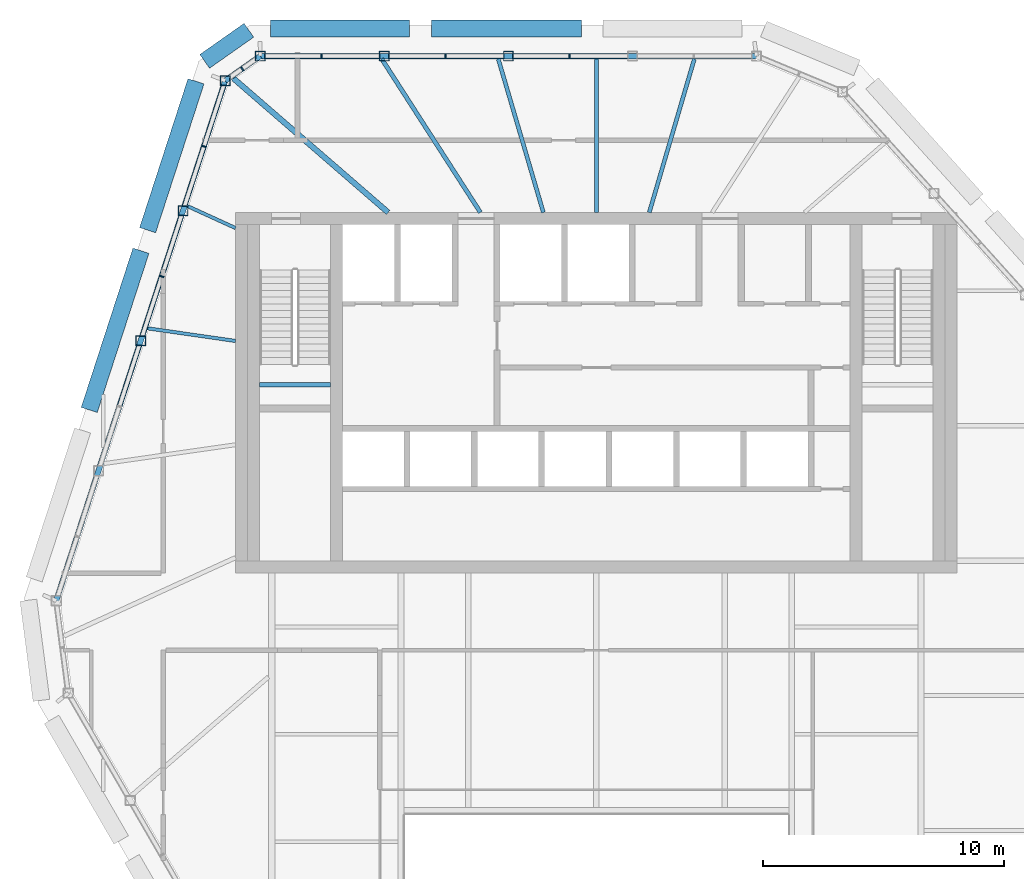
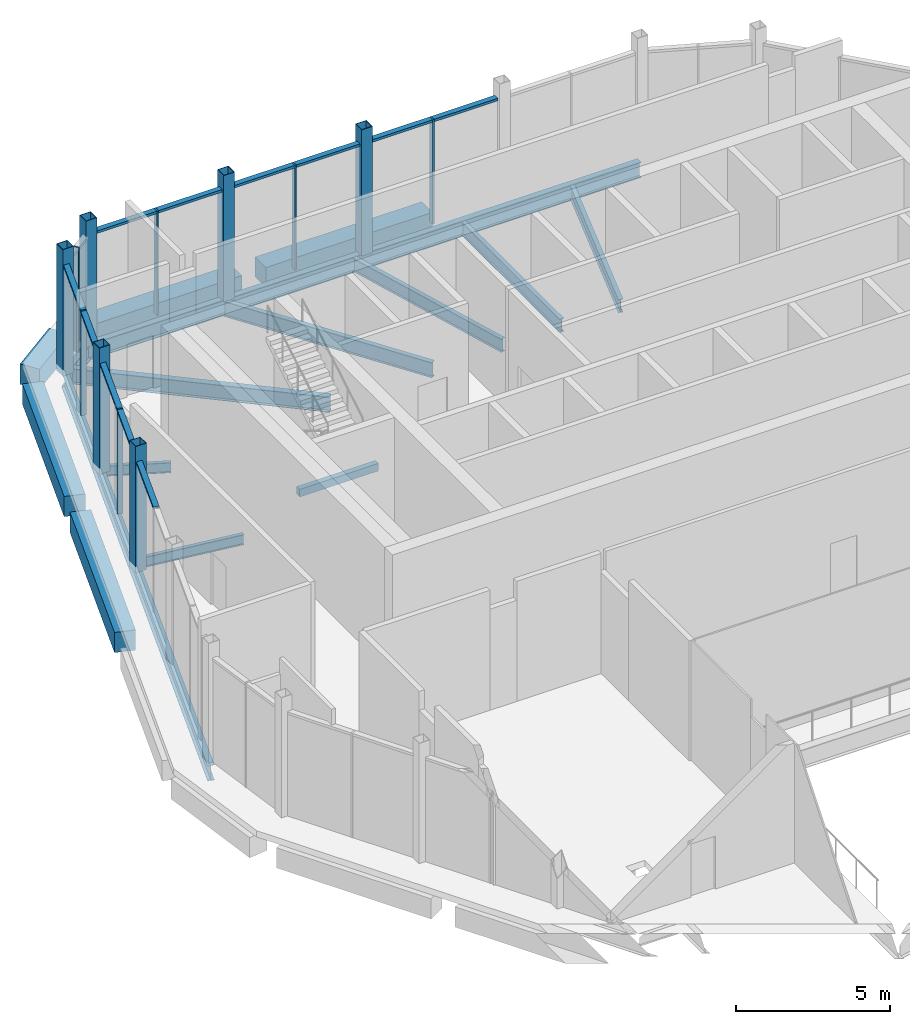
# One storey, part 5 of 12: 23 members, 16 beams, 3 elements without a shape of their own.
"""IFC4 building model written with IfcOpenShell, lengths in metres."""

from ifc_helpers import new_model, si_unit, direction, frame, origin, origin_2d, place, context, subcontext, project, spatial, rectangle, hollow_rectangle, i_section, extrude, material, layer, layer_set, material_profile, profile_set, type_object, element, aggregate, save


model = new_model("IFC4")

# Units and contexts
model_context = context("Model", 3, precision=1e-05, world=origin(), true_north=direction((0.0, 1.0)))
body_context = subcontext(model_context, "Body", "Model", "MODEL_VIEW")
ifc_project = project(units=[si_unit("LENGTHUNIT", "METRE"), si_unit("AREAUNIT", "SQUARE_METRE"), si_unit("VOLUMEUNIT", "CUBIC_METRE"), si_unit("PLANEANGLEUNIT", "RADIAN"), si_unit("MASSUNIT", "GRAM", prefix="KILO")], contexts=[model_context])

# Site, building, storey
site_placement = place(None, origin())
site = spatial("IfcSite", under=ifc_project, at=site_placement, CompositionType="ELEMENT")
building_placement = place(site_placement, origin())
building = spatial("IfcBuilding", under=site, at=building_placement, Name="Isthmus Gate Tower", CompositionType="ELEMENT")
storey_placement = place(building_placement, frame((0.0, 0.0, 301.10009765625)))
storey = spatial("IfcBuildingStorey", under=building, at=storey_placement, Name="C1", CompositionType="ELEMENT", Elevation=301.10009765625)

# Members
ifc_material_1 = material(Name="Structural steel ASTM A500 Gr C", Category="steel")
ifc_material_profile_1 = material_profile(ifc_material_1, hollow_rectangle(XDim=0.406494140625, YDim=0.406494140625, WallThickness=0.017578125, at=origin_2d()), Name="HSS16X16X3/4")
ifc_profile_set_1 = profile_set([ifc_material_profile_1], Name="Structural steel ASTM A500 Gr C")
member_type_1 = type_object("IfcMemberType", Name="CROWN POST HSS16X16X3/4", PredefinedType="POST", material=ifc_profile_set_1)
for number, where, z_axis, x_axis, name in (
    (1, (-3.65478515625, 21.5, -0.25), (0.0, 0.0, 1.0), (1.0, 0.0, 0.0), "str-crownpost-C1-03"),
    (2, (-8.81201171875, 21.5, -0.25), (0.0, 0.0, 1.0), (1.0, 0.0, 0.0), "str-crownpost-C1-04"),
    (3, (-13.96923828125, 21.5, -0.25), (0.0, 0.0, 1.0), (1.0, 0.0, 0.0), "str-crownpost-C1-05"),
    (4, (-15.425048828125, 20.475830078125, -0.25), (0.0, 0.0, 1.0), (1.0, 0.0, 0.0), "str-crownpost-C1-06"),
    (5, (-17.18115234375, 15.071044921875, -0.25), (0.0, 0.0, 1.0), (1.0, 0.0, 0.0), "str-crownpost-C1-07"),
    (6, (-18.937255859375, 9.666015625, -0.25), (0.0, 0.0, 1.0), (1.0, 0.0, 0.0), "str-crownpost-C1-08"),
):
    element("IfcMember", number, at=place(storey_placement, frame(where, z_axis=z_axis, x_axis=x_axis)), inside=storey, type_object=member_type_1, Name=name, PredefinedType="POST", context=body_context, shape_type="SweptSolid", body=[
        extrude(hollow_rectangle(XDim=0.406494140625, YDim=0.406494140625, WallThickness=0.017578125, at=origin_2d()), origin(), (0.0, 0.0, 1.0), 5.0),
    ])

# Beams
ifc_material_2 = material(Name="Structural steel ASTM A992 Gr 50", Category="steel")
ifc_material_profile_2 = material_profile(ifc_material_2, i_section(OverallWidth=0.231689453125, OverallDepth=0.615966796875, WebThickness=0.0126953125, FlangeThickness=0.022216796875, at=origin_2d()), Name="W24X94")
ifc_profile_set_2 = profile_set([ifc_material_profile_2], Name="Structural steel ASTM A992 Gr 50")
beam_type_1 = type_object("IfcBeamType", Name="CROWN RING BEAM W24X94", PredefinedType="BEAM", material=ifc_profile_set_2)
beam_1_placement = place(storey_placement, frame((6.659912109375, 21.5, -0.55810546875), z_axis=(-1.0, 0.0, 0.0), x_axis=(0.0, -1.0, 0.0)))
element("IfcBeam", 7, at=beam_1_placement, inside=storey, type_object=beam_type_1, Name="str-crownring-C1-00", PredefinedType="BEAM", context=body_context, shape_type="SweptSolid", body=[
    extrude(i_section(OverallWidth=0.231689453125, OverallDepth=0.615966796875, WebThickness=0.0126953125, FlangeThickness=0.022216796875, at=origin_2d()), origin(), (0.0, 0.0, 1.0), 20.629150390625),
])
beam_2_placement = place(storey_placement, frame((-13.96923828125, 21.5, -0.55810546875), z_axis=(-0.817882919468, -0.575384680055, 0.0), x_axis=(0.575384680055, -0.817882919468, 0.0)))
element("IfcBeam", 8, at=beam_2_placement, inside=storey, type_object=beam_type_1, Name="str-crownring-C1-01", PredefinedType="BEAM", context=body_context, shape_type="SweptSolid", body=[
    extrude(i_section(OverallWidth=0.231689453125, OverallDepth=0.615966796875, WebThickness=0.0126953125, FlangeThickness=0.022216796875, at=origin_2d()), origin(), (0.0, 0.0, 1.0), 1.780029296875),
])
beam_3_placement = place(storey_placement, frame((-15.425048828125, 20.475830078125, -0.55810546875), z_axis=(-0.309011031074, -0.951058453868, 0.0), x_axis=(0.951058453868, -0.309011031074, 0.0)))
element("IfcBeam", 9, at=beam_3_placement, inside=storey, type_object=beam_type_1, Name="str-crownring-C1-02", PredefinedType="BEAM", context=body_context, shape_type="SweptSolid", body=[
    extrude(i_section(OverallWidth=0.231689453125, OverallDepth=0.615966796875, WebThickness=0.0126953125, FlangeThickness=0.022216796875, at=origin_2d()), origin(), (0.0, 0.0, 1.0), 22.73193359375),
])

# Curtain wall, members
ifc_material_3 = material(Name="Aluminium, pale champagne anodised", Category="aluminium")
ifc_layer = layer(ifc_material_3, 0.199951171875)
ifc_layer_set = layer_set([ifc_layer], Name="CW-2 LOUVRE CURTAIN WALL 200 DEEP")
curtain_wall_type = type_object("IfcCurtainWallType", Name="CW-2 LOUVRE CURTAIN WALL 200 DEEP", PredefinedType="NOTDEFINED", material=ifc_layer_set)
curtain_wall_1_placement = place(storey_placement, origin())
curtain_wall_1 = element("IfcCurtainWall", 10, at=curtain_wall_1_placement, inside=storey, type_object=curtain_wall_type, Name="CW-2 E00 C1", PredefinedType="NOTDEFINED")
ifc_material_4 = material(Name="Aluminium, pale champagne anodised", Category="aluminium")
ifc_material_profile_3 = material_profile(ifc_material_4, rectangle(XDim=0.06005859375, YDim=0.199951171875, at=origin_2d()), Name="60x200")
ifc_profile_set_3 = profile_set([ifc_material_profile_3], Name="Aluminium, pale champagne anodised")
member_type_2 = type_object("IfcMemberType", Name="CW-2 MULLION 60 X 200", PredefinedType="MULLION", material=ifc_profile_set_3)
member_1_placement = place(storey_placement, frame((-1.10595703125, 21.5, 0.0), z_axis=(0.0, 0.0, 1.0), x_axis=(-1.0, 0.0, 0.0)))
member_1 = element("IfcMember", 11, at=member_1_placement, type_object=member_type_2, Name="CW-2 mullion", PredefinedType="MULLION", context=body_context, shape_type="SweptSolid", body=[
    extrude(rectangle(XDim=0.06005859375, YDim=0.199951171875, at=origin_2d()), origin(), (0.0, 0.0, 1.0), 4.134033203125),
])
member_2_placement = place(storey_placement, frame((-6.263427734375, 21.5, 0.0), z_axis=(0.0, 0.0, 1.0), x_axis=(-1.0, 0.0, 0.0)))
member_2 = element("IfcMember", 12, at=member_2_placement, type_object=member_type_2, Name="CW-2 mullion", PredefinedType="MULLION", context=body_context, shape_type="SweptSolid", body=[
    extrude(rectangle(XDim=0.06005859375, YDim=0.199951171875, at=origin_2d()), origin(), (0.0, 0.0, 1.0), 4.134033203125),
])
member_3_placement = place(storey_placement, frame((-11.420654296875, 21.5, 0.0), z_axis=(0.0, 0.0, 1.0), x_axis=(-1.0, 0.0, 0.0)))
member_3 = element("IfcMember", 13, at=member_3_placement, type_object=member_type_2, Name="CW-2 mullion", PredefinedType="MULLION", context=body_context, shape_type="SweptSolid", body=[
    extrude(rectangle(XDim=0.06005859375, YDim=0.199951171875, at=origin_2d()), origin(), (0.0, 0.0, 1.0), 4.134033203125),
])

# Curtain wall, member
curtain_wall_2_placement = place(storey_placement, origin())
curtain_wall_2 = element("IfcCurtainWall", 14, at=curtain_wall_2_placement, inside=storey, type_object=curtain_wall_type, Name="CW-2 E01 C1", PredefinedType="NOTDEFINED")
member_4_placement = place(storey_placement, frame((-14.7216796875, 20.970703125, 0.0), z_axis=(0.0, 0.0, 1.0), x_axis=(-0.81785959165, -0.57541783805, 0.0)))
member_4 = element("IfcMember", 15, at=member_4_placement, type_object=member_type_2, Name="CW-2 mullion", PredefinedType="MULLION", context=body_context, shape_type="SweptSolid", body=[
    extrude(rectangle(XDim=0.06005859375, YDim=0.199951171875, at=origin_2d()), origin(), (0.0, 0.0, 1.0), 4.134033203125),
])
aggregate(curtain_wall_2, [member_4])

# Curtain wall, members
curtain_wall_3_placement = place(storey_placement, origin())
curtain_wall_3 = element("IfcCurtainWall", 16, at=curtain_wall_3_placement, inside=storey, type_object=curtain_wall_type, Name="CW-2 E02 C1", PredefinedType="NOTDEFINED")
member_5_placement = place(storey_placement, frame((-16.312255859375, 17.744873046875, 0.0), z_axis=(0.0, 0.0, 1.0), x_axis=(-0.309016994375, -0.951056516295, 0.0)))
member_5 = element("IfcMember", 17, at=member_5_placement, type_object=member_type_2, Name="CW-2 mullion", PredefinedType="MULLION", context=body_context, shape_type="SweptSolid", body=[
    extrude(rectangle(XDim=0.06005859375, YDim=0.199951171875, at=origin_2d()), origin(), (0.0, 0.0, 1.0), 4.134033203125),
])
member_6_placement = place(storey_placement, frame((-18.068359375, 12.340087890625, 0.0), z_axis=(0.0, 0.0, 1.0), x_axis=(-0.309016994375, -0.951056516295, 0.0)))
member_6 = element("IfcMember", 18, at=member_6_placement, type_object=member_type_2, Name="CW-2 mullion", PredefinedType="MULLION", context=body_context, shape_type="SweptSolid", body=[
    extrude(rectangle(XDim=0.06005859375, YDim=0.199951171875, at=origin_2d()), origin(), (0.0, 0.0, 1.0), 4.134033203125),
])

# Member
ifc_material_5 = material(Name="Aluminium, pale champagne anodised", Category="aluminium")
ifc_material_profile_4 = material_profile(ifc_material_5, rectangle(XDim=0.199951171875, YDim=0.10009765625, at=origin_2d()), Name="200x100")
ifc_profile_set_4 = profile_set([ifc_material_profile_4], Name="Aluminium, pale champagne anodised")
member_type_3 = type_object("IfcMemberType", Name="CW-2 TRANSOM 200 X 100", PredefinedType="USERDEFINED", material=ifc_profile_set_4)
member_7_placement = place(storey_placement, frame((1.299560546875, 21.5, 4.083984375), z_axis=(-1.0, 0.0, 0.0), x_axis=(0.0, -1.0, 0.0)))
member_7 = element("IfcMember", 19, at=member_7_placement, type_object=member_type_3, Name="CW-2 transom", ObjectType="TRANSOM", PredefinedType="USERDEFINED", context=body_context, shape_type="SweptSolid", body=[
    extrude(rectangle(XDim=0.199951171875, YDim=0.10009765625, at=origin_2d()), origin(), (0.0, 0.0, 1.0), 2.37548828125),
])

member_8_placement = place(storey_placement, frame((-1.135986328125, 21.5, 4.083984375), z_axis=(-1.0, 0.0, 0.0), x_axis=(0.0, -1.0, 0.0)))
member_8 = element("IfcMember", 20, at=member_8_placement, type_object=member_type_3, Name="CW-2 transom", ObjectType="TRANSOM", PredefinedType="USERDEFINED", context=body_context, shape_type="SweptSolid", body=[
    extrude(rectangle(XDim=0.199951171875, YDim=0.10009765625, at=origin_2d()), origin(), (0.0, 0.0, 1.0), 2.3154296875),
])

member_9_placement = place(storey_placement, frame((-3.85791015625, 21.5, 4.083984375), z_axis=(-1.0, 0.0, 0.0), x_axis=(0.0, -1.0, 0.0)))
member_9 = element("IfcMember", 21, at=member_9_placement, type_object=member_type_3, Name="CW-2 transom", ObjectType="TRANSOM", PredefinedType="USERDEFINED", context=body_context, shape_type="SweptSolid", body=[
    extrude(rectangle(XDim=0.199951171875, YDim=0.10009765625, at=origin_2d()), origin(), (0.0, 0.0, 1.0), 2.37548828125),
])

member_10_placement = place(storey_placement, frame((-6.293212890625, 21.5, 4.083984375), z_axis=(-1.0, 0.0, 0.0), x_axis=(0.0, -1.0, 0.0)))
member_10 = element("IfcMember", 22, at=member_10_placement, type_object=member_type_3, Name="CW-2 transom", ObjectType="TRANSOM", PredefinedType="USERDEFINED", context=body_context, shape_type="SweptSolid", body=[
    extrude(rectangle(XDim=0.199951171875, YDim=0.10009765625, at=origin_2d()), origin(), (0.0, 0.0, 1.0), 2.315673828125),
])

member_11_placement = place(storey_placement, frame((-9.01513671875, 21.5, 4.083984375), z_axis=(-1.0, 0.0, 0.0), x_axis=(0.0, -1.0, 0.0)))
member_11 = element("IfcMember", 23, at=member_11_placement, type_object=member_type_3, Name="CW-2 transom", ObjectType="TRANSOM", PredefinedType="USERDEFINED", context=body_context, shape_type="SweptSolid", body=[
    extrude(rectangle(XDim=0.199951171875, YDim=0.10009765625, at=origin_2d()), origin(), (0.0, 0.0, 1.0), 2.37548828125),
])

member_12_placement = place(storey_placement, frame((-11.45068359375, 21.5, 4.083984375), z_axis=(-1.0, 0.0, 0.0), x_axis=(0.0, -1.0, 0.0)))
member_12 = element("IfcMember", 24, at=member_12_placement, type_object=member_type_3, Name="CW-2 transom", ObjectType="TRANSOM", PredefinedType="USERDEFINED", context=body_context, shape_type="SweptSolid", body=[
    extrude(rectangle(XDim=0.199951171875, YDim=0.10009765625, at=origin_2d()), origin(), (0.0, 0.0, 1.0), 2.3154296875),
])

aggregate(curtain_wall_1, [member_7, member_1, member_8, member_9, member_2, member_10, member_11, member_3, member_12])

member_13_placement = place(storey_placement, frame((-15.48779296875, 20.28271484375, 4.083984375), z_axis=(-0.308973082722, -0.951070782935, 0.0), x_axis=(0.951070782935, -0.308973082722, 0.0)))
member_13 = element("IfcMember", 25, at=member_13_placement, type_object=member_type_3, Name="CW-2 transom", ObjectType="TRANSOM", PredefinedType="USERDEFINED", context=body_context, shape_type="SweptSolid", body=[
    extrude(rectangle(XDim=0.199951171875, YDim=0.10009765625, at=origin_2d()), origin(), (0.0, 0.0, 1.0), 2.638427734375),
])

member_14_placement = place(storey_placement, frame((-16.321533203125, 17.71630859375, 4.083984375), z_axis=(-0.309060379712, -0.951042418451, 0.0), x_axis=(0.951042418451, -0.309060379712, 0.0)))
member_14 = element("IfcMember", 26, at=member_14_placement, type_object=member_type_3, Name="CW-2 transom", ObjectType="TRANSOM", PredefinedType="USERDEFINED", context=body_context, shape_type="SweptSolid", body=[
    extrude(rectangle(XDim=0.199951171875, YDim=0.10009765625, at=origin_2d()), origin(), (0.0, 0.0, 1.0), 2.578369140625),
])

member_15_placement = place(storey_placement, frame((-17.243896484375, 14.877685546875, 4.083984375), z_axis=(-0.309000276774, -0.951061948011, 0.0), x_axis=(0.951061948011, -0.309000276774, 0.0)))
member_15 = element("IfcMember", 27, at=member_15_placement, type_object=member_type_3, Name="CW-2 transom", ObjectType="TRANSOM", PredefinedType="USERDEFINED", context=body_context, shape_type="SweptSolid", body=[
    extrude(rectangle(XDim=0.199951171875, YDim=0.10009765625, at=origin_2d()), origin(), (0.0, 0.0, 1.0), 2.63818359375),
])

member_16_placement = place(storey_placement, frame((-18.07763671875, 12.3115234375, 4.083984375), z_axis=(-0.309060379712, -0.951042418451, 0.0), x_axis=(0.951042418451, -0.309060379712, 0.0)))
member_16 = element("IfcMember", 28, at=member_16_placement, type_object=member_type_3, Name="CW-2 transom", ObjectType="TRANSOM", PredefinedType="USERDEFINED", context=body_context, shape_type="SweptSolid", body=[
    extrude(rectangle(XDim=0.199951171875, YDim=0.10009765625, at=origin_2d()), origin(), (0.0, 0.0, 1.0), 2.578369140625),
])

member_17_placement = place(storey_placement, frame((-19.0, 9.472900390625, 4.083984375), z_axis=(-0.30905677999, -0.951043588245, 0.0), x_axis=(0.951043588245, -0.30905677999, 0.0)))
member_17 = element("IfcMember", 29, at=member_17_placement, type_object=member_type_3, Name="CW-2 transom", ObjectType="TRANSOM", PredefinedType="USERDEFINED", context=body_context, shape_type="SweptSolid", body=[
    extrude(rectangle(XDim=0.199951171875, YDim=0.10009765625, at=origin_2d()), origin(), (0.0, 0.0, 1.0), 2.638427734375),
])

aggregate(curtain_wall_3, [member_13, member_5, member_14, member_15, member_6, member_16, member_17])

# Beams
ifc_material_6 = material(Name="Concrete f'c 50 MPa", Category="concrete")
ifc_material_profile_5 = material_profile(ifc_material_6, rectangle(XDim=0.699951171875, YDim=0.800048828125, at=origin_2d()), Name="RC 700X800")
ifc_profile_set_5 = profile_set([ifc_material_profile_5], Name="Concrete f'c 50 MPa")
beam_type_2 = type_object("IfcBeamType", Name="RC ROOF RING BEAM 700 X 800", PredefinedType="BEAM", material=ifc_profile_set_5)
beam_4_placement = place(storey_placement, frame((-21.080810546875, 6.790283203125, -0.650146484375), z_axis=(0.309006716915, 0.951059855583, 0.0), x_axis=(-0.951059855583, 0.309006716915, 0.0)))
element("IfcBeam", 30, at=beam_4_placement, inside=storey, type_object=beam_type_2, Name="str-roofring-C1-18", PredefinedType="BEAM", context=body_context, shape_type="SweptSolid", body=[
    extrude(rectangle(XDim=0.699951171875, YDim=0.800048828125, at=origin_2d()), origin(), (0.0, 0.0, 1.0), 6.956787109375),
])
beam_5_placement = place(storey_placement, frame((-18.653076171875, 14.262451171875, -0.650146484375), z_axis=(0.30901480678, 0.951057227085, 0.0), x_axis=(-0.951057227085, 0.30901480678, 0.0)))
element("IfcBeam", 31, at=beam_5_placement, inside=storey, type_object=beam_type_2, Name="str-roofring-C1-19", PredefinedType="BEAM", context=body_context, shape_type="SweptSolid", body=[
    extrude(rectangle(XDim=0.699951171875, YDim=0.800048828125, at=origin_2d()), origin(), (0.0, 0.0, 1.0), 6.5068359375),
])
beam_6_placement = place(storey_placement, frame((-16.281005859375, 21.27978515625, -0.650146484375), z_axis=(0.817891678431, 0.57537222939, 0.0), x_axis=(-0.57537222939, 0.817891678431, 0.0)))
element("IfcBeam", 32, at=beam_6_placement, inside=storey, type_object=beam_type_2, Name="str-roofring-C1-20", PredefinedType="BEAM", context=body_context, shape_type="SweptSolid", body=[
    extrude(rectangle(XDim=0.699951171875, YDim=0.800048828125, at=origin_2d()), origin(), (0.0, 0.0, 1.0), 2.245849609375),
])
beam_7_placement = place(storey_placement, frame((-13.544189453125, 22.64990234375, -0.650146484375), z_axis=(1.0, 0.0, 0.0), x_axis=(0.0, 1.0, 0.0)))
element("IfcBeam", 33, at=beam_7_placement, inside=storey, type_object=beam_type_2, Name="str-roofring-C1-21", PredefinedType="BEAM", context=body_context, shape_type="SweptSolid", body=[
    extrude(rectangle(XDim=0.699951171875, YDim=0.800048828125, at=origin_2d()), origin(), (0.0, 0.0, 1.0), 5.78466796875),
])
beam_8_placement = place(storey_placement, frame((-6.859619140625, 22.64990234375, -0.650146484375), z_axis=(1.0, 0.0, 0.0), x_axis=(0.0, 1.0, 0.0)))
element("IfcBeam", 34, at=beam_8_placement, inside=storey, type_object=beam_type_2, Name="str-roofring-C1-22", PredefinedType="BEAM", context=body_context, shape_type="SweptSolid", body=[
    extrude(rectangle(XDim=0.699951171875, YDim=0.800048828125, at=origin_2d()), origin(), (0.0, 0.0, 1.0), 6.234619140625),
])
ifc_material_7 = material(Name="Concrete f'c 40 MPa", Category="concrete")
ifc_material_profile_6 = material_profile(ifc_material_7, rectangle(XDim=0.199951171875, YDim=0.300048828125, at=origin_2d()), Name="STAIR LANDING BEAM RC 200 X 300")
ifc_profile_set_6 = profile_set([ifc_material_profile_6], Name="Concrete f'c 40 MPa")
beam_type_3 = type_object("IfcBeamType", Name="STAIR LANDING BEAM RC 200 X 300", PredefinedType="BEAM", material=ifc_profile_set_6)
beam_9_placement = place(storey_placement, frame((-14.0, 7.840087890625, 2.14990234375), z_axis=(1.0, 0.0, 0.0), x_axis=(0.0, 1.0, 0.0)))
element("IfcBeam", 35, at=beam_9_placement, inside=storey, type_object=beam_type_3, Name="C1 ST1 landing beam 1", PredefinedType="BEAM", context=body_context, shape_type="SweptSolid", body=[
    extrude(rectangle(XDim=0.199951171875, YDim=0.300048828125, at=origin_2d()), origin(), (0.0, 0.0, 1.0), 2.949951171875),
])
ifc_material_8 = material(Name="Structural steel ASTM A992 Gr 50", Category="steel")
ifc_material_profile_7 = material_profile(ifc_material_8, i_section(OverallWidth=0.1396484375, OverallDepth=0.4033203125, WebThickness=0.00634765625, FlangeThickness=0.010986328125, at=origin_2d()), Name="W16X31")
ifc_profile_set_7 = profile_set([ifc_material_profile_7], Name="Structural steel ASTM A992 Gr 50")
beam_type_4 = type_object("IfcBeamType", Name="STEEL FLOOR BEAM W16X31", PredefinedType="JOIST", material=ifc_profile_set_7)
beam_10_placement = place(storey_placement, frame((-15.0, 14.350341796875, -0.45166015625), z_axis=(-0.909660602808, 0.415352365708, 0.0), x_axis=(-0.415352365708, -0.909660602808, 0.0)))
element("IfcBeam", 36, at=beam_10_placement, inside=storey, type_object=beam_type_4, Name="str-beam-C1-03-07", PredefinedType="JOIST", context=body_context, shape_type="SweptSolid", body=[
    extrude(i_section(OverallWidth=0.1396484375, OverallDepth=0.4033203125, WebThickness=0.00634765625, FlangeThickness=0.010986328125, at=origin_2d()), origin(), (0.0, 0.0, 1.0), 2.1953125),
])
beam_11_placement = place(storey_placement, frame((-15.0, 9.65673828125, -0.45166015625), z_axis=(-0.98982457024, 0.142293078361, 0.0), x_axis=(-0.142293078361, -0.98982457024, 0.0)))
element("IfcBeam", 37, at=beam_11_placement, inside=storey, type_object=beam_type_4, Name="str-beam-C1-03-08", PredefinedType="JOIST", context=body_context, shape_type="SweptSolid", body=[
    extrude(i_section(OverallWidth=0.1396484375, OverallDepth=0.4033203125, WebThickness=0.00634765625, FlangeThickness=0.010986328125, at=origin_2d()), origin(), (0.0, 0.0, 1.0), 3.685546875),
])
ifc_material_9 = material(Name="Structural steel ASTM A992 Gr 50", Category="steel")
ifc_material_profile_8 = material_profile(ifc_material_9, i_section(OverallWidth=0.1650390625, OverallDepth=0.52392578125, WebThickness=0.009521484375, FlangeThickness=0.010986328125, at=origin_2d()), Name="W21X44")
ifc_profile_set_8 = profile_set([ifc_material_profile_8], Name="Structural steel ASTM A992 Gr 50")
beam_type_5 = type_object("IfcBeamType", Name="STEEL FLOOR BEAM W21X44", PredefinedType="JOIST", material=ifc_profile_set_8)
beam_12_placement = place(storey_placement, frame((2.2021484375, 15.0, -0.511962890625), z_axis=(0.281731233853, 0.959493362078, 0.0), x_axis=(-0.959493362078, 0.281731233853, 0.0)))
element("IfcBeam", 38, at=beam_12_placement, inside=storey, type_object=beam_type_5, Name="str-beam-C1-03-02", PredefinedType="JOIST", context=body_context, shape_type="SweptSolid", body=[
    extrude(i_section(OverallWidth=0.1650390625, OverallDepth=0.52392578125, WebThickness=0.009521484375, FlangeThickness=0.010986328125, at=origin_2d()), origin(), (0.0, 0.0, 1.0), 6.653564453125),
])
beam_13_placement = place(storey_placement, frame((0.0, 15.0, -0.511962890625), z_axis=(0.0, 1.0, 0.0), x_axis=(-1.0, 0.0, 0.0)))
element("IfcBeam", 39, at=beam_13_placement, inside=storey, type_object=beam_type_5, Name="str-beam-C1-03-03", PredefinedType="JOIST", context=body_context, shape_type="SweptSolid", body=[
    extrude(i_section(OverallWidth=0.1650390625, OverallDepth=0.52392578125, WebThickness=0.009521484375, FlangeThickness=0.010986328125, at=origin_2d()), origin(), (0.0, 0.0, 1.0), 6.384033203125),
])
beam_14_placement = place(storey_placement, frame((-2.2021484375, 15.0, -0.511962890625), z_axis=(-0.281731233853, 0.959493362078, 0.0), x_axis=(-0.959493362078, -0.281731233853, 0.0)))
element("IfcBeam", 40, at=beam_14_placement, inside=storey, type_object=beam_type_5, Name="str-beam-C1-03-04", PredefinedType="JOIST", context=body_context, shape_type="SweptSolid", body=[
    extrude(i_section(OverallWidth=0.1650390625, OverallDepth=0.52392578125, WebThickness=0.009521484375, FlangeThickness=0.010986328125, at=origin_2d()), origin(), (0.0, 0.0, 1.0), 6.653564453125),
])
ifc_material_10 = material(Name="Structural steel ASTM A992 Gr 50", Category="steel")
ifc_material_profile_9 = material_profile(ifc_material_10, i_section(OverallWidth=0.177734375, OverallDepth=0.60009765625, WebThickness=0.009521484375, FlangeThickness=0.0126953125, at=origin_2d()), Name="W24X55")
ifc_profile_set_9 = profile_set([ifc_material_profile_9], Name="Structural steel ASTM A992 Gr 50")
beam_type_6 = type_object("IfcBeamType", Name="STEEL FLOOR BEAM W24X55", PredefinedType="JOIST", material=ifc_profile_set_9)
beam_15_placement = place(storey_placement, frame((-4.820068359375, 15.0, -0.550048828125), z_axis=(-0.540642140459, 0.841252682587, 0.0), x_axis=(-0.841252682587, -0.540642140459, 0.0)))
element("IfcBeam", 41, at=beam_15_placement, inside=storey, type_object=beam_type_6, Name="str-beam-C1-03-05", PredefinedType="JOIST", context=body_context, shape_type="SweptSolid", body=[
    extrude(i_section(OverallWidth=0.177734375, OverallDepth=0.60009765625, WebThickness=0.009521484375, FlangeThickness=0.0126953125, at=origin_2d()), origin(), (0.0, 0.0, 1.0), 7.588623046875),
])
ifc_material_11 = material(Name="Structural steel ASTM A992 Gr 50", Category="steel")
ifc_material_profile_10 = material_profile(ifc_material_11, i_section(OverallWidth=0.228515625, OverallDepth=0.603271484375, WebThickness=0.010986328125, FlangeThickness=0.014404296875, at=origin_2d()), Name="W24X68")
ifc_profile_set_10 = profile_set([ifc_material_profile_10], Name="Structural steel ASTM A992 Gr 50")
beam_type_7 = type_object("IfcBeamType", Name="STEEL FLOOR BEAM W24X68", PredefinedType="JOIST", material=ifc_profile_set_10)
beam_16_placement = place(storey_placement, frame((-8.655517578125, 15.0, -0.5517578125), z_axis=(-0.755743985851, 0.654867183366, 0.0), x_axis=(-0.654867183366, -0.755743985851, 0.0)))
element("IfcBeam", 42, at=beam_16_placement, inside=storey, type_object=beam_type_7, Name="str-beam-C1-03-06", PredefinedType="JOIST", context=body_context, shape_type="SweptSolid", body=[
    extrude(i_section(OverallWidth=0.228515625, OverallDepth=0.603271484375, WebThickness=0.010986328125, FlangeThickness=0.014404296875, at=origin_2d()), origin(), (0.0, 0.0, 1.0), 8.50927734375),
])

save(model, "model.ifc")
